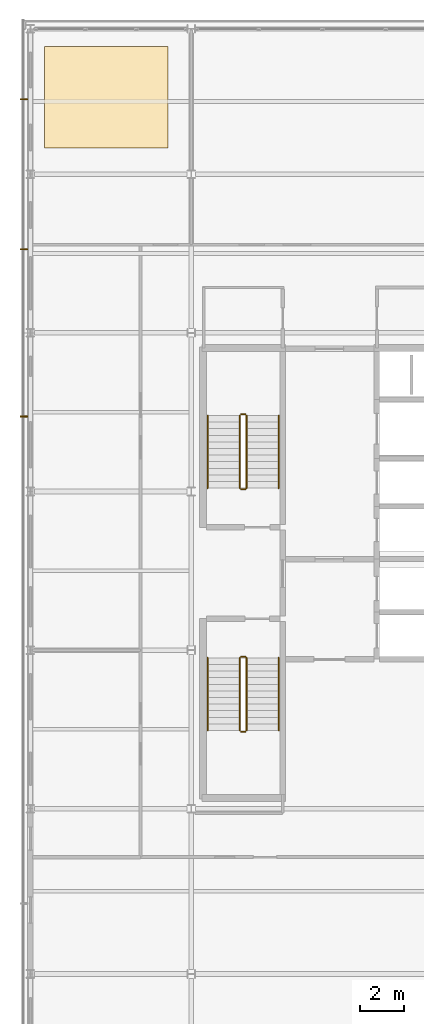
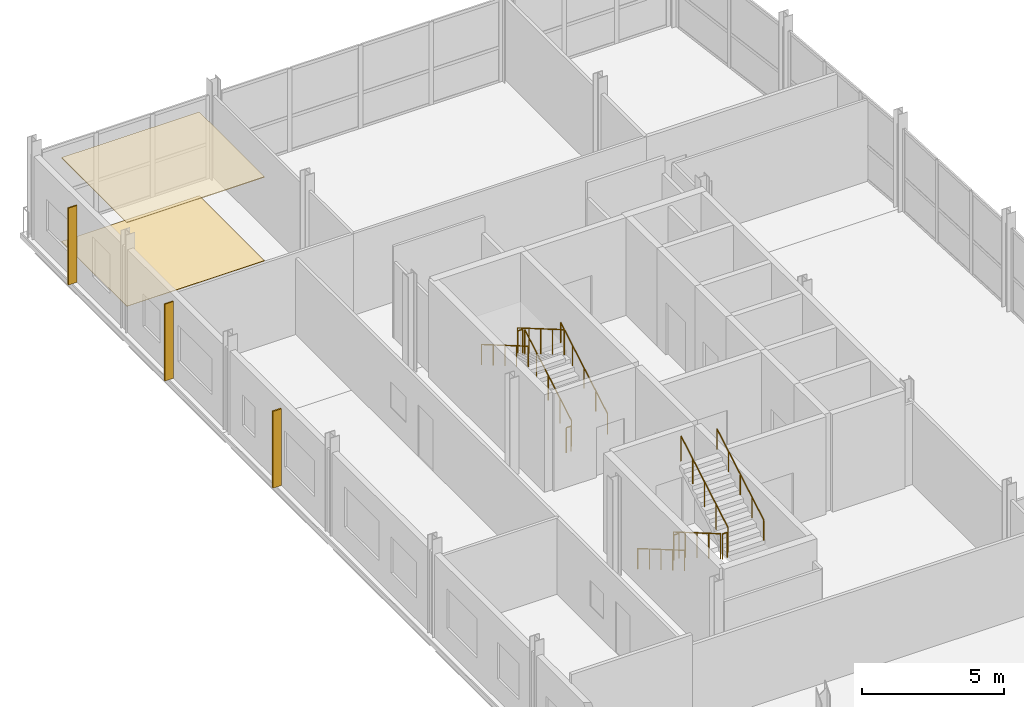
# One storey, part 22 of 23: 12 railings, 3 shading devices, 2 coverings.
"""IFC4 building model written with IfcOpenShell, lengths in metres."""

from ifc_helpers import new_model, si_unit, direction, frame, origin, origin_2d, place, context, subcontext, project, spatial, polyline, rectangle, circle, outline, extrude, material, layer, layer_set, type_object, element, save


model = new_model("IFC4")

# Units and contexts
model_context = context("Model", 3, precision=1e-05, world=origin(), true_north=direction((0.0, 1.0)))
body_context = subcontext(model_context, "Body", "Model", "MODEL_VIEW")
ifc_project = project(units=[si_unit("LENGTHUNIT", "METRE"), si_unit("AREAUNIT", "SQUARE_METRE"), si_unit("VOLUMEUNIT", "CUBIC_METRE"), si_unit("PLANEANGLEUNIT", "RADIAN"), si_unit("MASSUNIT", "GRAM", prefix="KILO")], contexts=[model_context])

# Site, building, storey
site_placement = place(None, origin())
site = spatial("IfcSite", under=ifc_project, at=site_placement, CompositionType="ELEMENT")
building_placement = place(site_placement, origin())
building = spatial("IfcBuilding", under=site, at=building_placement, Name="Quillay Park Conservatory", CompositionType="ELEMENT")
storey_placement = place(building_placement, frame((0.0, 0.0, 22.5)))
storey = spatial("IfcBuildingStorey", under=building, at=storey_placement, Name="L05", CompositionType="ELEMENT", Elevation=22.5)

# Coverings
ifc_material_1 = material(Name="Perforated Mineral-Fibre Acoustic Ceiling")
ifc_layer_1 = layer(ifc_material_1, 0.030029296875)
ifc_layer_set_1 = layer_set([ifc_layer_1], Name="LABORATORY HYGIENIC CEILING 30 (Perforated Mineral-Fibre Acoustic Ceiling)")
covering_type_1 = type_object("IfcCoveringType", Name="LABORATORY HYGIENIC CEILING 30", PredefinedType="CEILING", material=ifc_layer_set_1)
covering_1_placement = place(storey_placement, frame((0.0, 0.0, 3.592041015625)))
element("IfcCovering", 1, at=covering_1_placement, inside=storey, type_object=covering_type_1, Name="L05 Suspended Acoustic Ceiling", PredefinedType="CEILING", context=body_context, shape_type="SweptSolid", body=[
    extrude(outline(polyline([(1.199951171875, 108.0), (6.800048828125, 108.0), (6.800048828125, 112.60009765625), (1.199951171875, 112.60009765625), (1.199951171875, 108.0)])), origin(), (0.0, 0.0, 1.0), 0.030029296875),
])
ifc_material_2 = material(Name="Seamless Chemical-Resistant Epoxy Flooring")
ifc_layer_2 = layer(ifc_material_2, 0.01806640625)
ifc_layer_set_2 = layer_set([ifc_layer_2], Name="SEAMLESS EPOXY LAB FLOORING 18 (Seamless Chemical-Resistant Epoxy Flooring)")
covering_type_2 = type_object("IfcCoveringType", Name="SEAMLESS EPOXY LAB FLOORING 18", PredefinedType="FLOORING", material=ifc_layer_set_2)
covering_2_placement = place(storey_placement, origin())
element("IfcCovering", 2, at=covering_2_placement, inside=storey, type_object=covering_type_2, Name="L05 Interior Flooring Finish", PredefinedType="FLOORING", context=body_context, shape_type="SweptSolid", body=[
    extrude(outline(polyline([(1.199951171875, 108.0), (6.800048828125, 108.0), (6.800048828125, 112.60009765625), (1.199951171875, 112.60009765625), (1.199951171875, 108.0)])), origin(), (0.0, 0.0, 1.0), 0.01806640625),
])

# Railings
ifc_material_3 = material(Name="Steel S355J2H", Category="steel")
railing_type_1 = type_object("IfcRailingType", Name="STAIR WALL HANDRAIL 900", PredefinedType="HANDRAIL", material=ifc_material_3)
railing_1_placement = place(storey_placement, frame((11.820068359375, 92.550048828125, 0.175048828125)))
element("IfcRailing", 3, at=railing_1_placement, inside=storey, type_object=railing_type_1, Name="L05 ST-T1 stair handrail 1", PredefinedType="HANDRAIL", context=body_context, shape_type="SweptSolid", body=[
    extrude(circle(Radius=0.02392578125, at=origin_2d()), frame((0.0, 0.0, 0.8759765625), z_axis=(0.0, 0.863776583165, 0.503874998761), x_axis=(-1.0, 0.0, 0.0)), (0.0, 0.0, 1.0), 3.820556640625),
    extrude(circle(Radius=0.02099609375, at=origin_2d()), origin(), (0.0, 0.0, 1.0), 0.851806640625),
    extrude(circle(Radius=0.02099609375, at=origin_2d()), frame((0.0, 0.824951171875, 0.481201171875)), (0.0, 0.0, 1.0), 0.851806640625),
    extrude(circle(Radius=0.02099609375, at=origin_2d()), frame((0.0, 1.64990234375, 0.96240234375)), (0.0, 0.0, 1.0), 0.851806640625),
    extrude(circle(Radius=0.02099609375, at=origin_2d()), frame((0.0, 2.47509765625, 1.44384765625)), (0.0, 0.0, 1.0), 0.851806640625),
    extrude(circle(Radius=0.02099609375, at=origin_2d()), frame((0.0, 3.300048828125, 1.925048828125)), (0.0, 0.0, 1.0), 0.851806640625),
])
for number, where, name in (
    (4, (8.60009765625, 95.85009765625, 2.27490234375), "L05 ST-T1 stair handrail 2"),
    (5, (8.60009765625, 84.85009765625, 0.175048828125), "L05 ST-T2 stair handrail 1"),
):
    element("IfcRailing", number, at=place(storey_placement, frame(where)), inside=storey, type_object=railing_type_1, Name=name, PredefinedType="HANDRAIL", context=body_context, shape_type="SweptSolid", body=[
        extrude(circle(Radius=0.02392578125, at=origin_2d()), frame((0.0, 0.0, 0.8759765625), z_axis=(0.0, -0.863776583165, 0.503874998761), x_axis=(1.0, 0.0, 0.0)), (0.0, 0.0, 1.0), 3.820556640625),
        extrude(circle(Radius=0.02099609375, at=origin_2d()), origin(), (0.0, 0.0, 1.0), 0.851806640625),
        extrude(circle(Radius=0.02099609375, at=origin_2d()), frame((0.0, -0.824951171875, 0.481201171875)), (0.0, 0.0, 1.0), 0.851806640625),
        extrude(circle(Radius=0.02099609375, at=origin_2d()), frame((0.0, -1.64990234375, 0.96240234375)), (0.0, 0.0, 1.0), 0.851806640625),
        extrude(circle(Radius=0.02099609375, at=origin_2d()), frame((0.0, -2.47509765625, 1.44384765625)), (0.0, 0.0, 1.0), 0.851806640625),
        extrude(circle(Radius=0.02099609375, at=origin_2d()), frame((0.0, -3.300048828125, 1.925048828125)), (0.0, 0.0, 1.0), 0.851806640625),
    ])
railing_2_placement = place(storey_placement, frame((11.820068359375, 81.550048828125, 2.27490234375)))
element("IfcRailing", 6, at=railing_2_placement, inside=storey, type_object=railing_type_1, Name="L05 ST-T2 stair handrail 2", PredefinedType="HANDRAIL", context=body_context, shape_type="SweptSolid", body=[
    extrude(circle(Radius=0.02392578125, at=origin_2d()), frame((0.0, 0.0, 0.8759765625), z_axis=(0.0, 0.863776583165, 0.503874998761), x_axis=(-1.0, 0.0, 0.0)), (0.0, 0.0, 1.0), 3.820556640625),
    extrude(circle(Radius=0.02099609375, at=origin_2d()), origin(), (0.0, 0.0, 1.0), 0.851806640625),
    extrude(circle(Radius=0.02099609375, at=origin_2d()), frame((0.0, 0.824951171875, 0.481201171875)), (0.0, 0.0, 1.0), 0.851806640625),
    extrude(circle(Radius=0.02099609375, at=origin_2d()), frame((0.0, 1.64990234375, 0.96240234375)), (0.0, 0.0, 1.0), 0.851806640625),
    extrude(circle(Radius=0.02099609375, at=origin_2d()), frame((0.0, 2.47509765625, 1.44384765625)), (0.0, 0.0, 1.0), 0.851806640625),
    extrude(circle(Radius=0.02099609375, at=origin_2d()), frame((0.0, 3.300048828125, 1.925048828125)), (0.0, 0.0, 1.0), 0.851806640625),
])
ifc_material_4 = material(Name="Steel S355J2H", Category="steel")
railing_type_2 = type_object("IfcRailingType", Name="STAIR WELL GUARDRAIL 1100", PredefinedType="GUARDRAIL", material=ifc_material_4)
railing_3_placement = place(storey_placement, frame((10.360107421875, 92.550048828125, 0.175048828125)))
element("IfcRailing", 7, at=railing_3_placement, inside=storey, type_object=railing_type_2, Name="L05 ST-T1 stair guard 1", PredefinedType="GUARDRAIL", context=body_context, shape_type="SweptSolid", body=[
    extrude(circle(Radius=0.02392578125, at=origin_2d()), frame((0.0, 0.0, 1.076171875), z_axis=(0.0, 0.863776583165, 0.503874998761), x_axis=(-1.0, 0.0, 0.0)), (0.0, 0.0, 1.0), 3.820556640625),
    extrude(circle(Radius=0.02099609375, at=origin_2d()), origin(), (0.0, 0.0, 1.0), 1.052001953125),
    extrude(circle(Radius=0.02099609375, at=origin_2d()), frame((0.0, 0.824951171875, 0.481201171875)), (0.0, 0.0, 1.0), 1.052001953125),
    extrude(circle(Radius=0.02099609375, at=origin_2d()), frame((0.0, 1.64990234375, 0.96240234375)), (0.0, 0.0, 1.0), 1.052001953125),
    extrude(circle(Radius=0.02099609375, at=origin_2d()), frame((0.0, 2.47509765625, 1.44384765625)), (0.0, 0.0, 1.0), 1.052001953125),
    extrude(circle(Radius=0.02099609375, at=origin_2d()), frame((0.0, 3.300048828125, 1.925048828125)), (0.0, 0.0, 1.0), 1.052001953125),
])
railing_4_placement = place(storey_placement, frame((10.31005859375, 95.89990234375, 2.10009765625)))
element("IfcRailing", 8, at=railing_4_placement, inside=storey, type_object=railing_type_2, Name="L05 ST-T1 stair guard 2", PredefinedType="GUARDRAIL", context=body_context, shape_type="SweptSolid", body=[
    extrude(circle(Radius=0.02392578125, at=origin_2d()), frame((0.0, 0.0, 1.076171875), z_axis=(-1.0, 0.0, 0.0), x_axis=(0.0, -1.0, 0.0)), (0.0, 0.0, 1.0), 0.199951171875),
    extrude(circle(Radius=0.02099609375, at=origin_2d()), origin(), (0.0, 0.0, 1.0), 1.052001953125),
    extrude(circle(Radius=0.02099609375, at=origin_2d()), frame((-0.199951171875, 0.0, 0.0)), (0.0, 0.0, 1.0), 1.052001953125),
])
railing_5_placement = place(storey_placement, frame((10.06005859375, 95.85009765625, 2.27490234375)))
element("IfcRailing", 9, at=railing_5_placement, inside=storey, type_object=railing_type_2, Name="L05 ST-T1 stair guard 3", PredefinedType="GUARDRAIL", context=body_context, shape_type="SweptSolid", body=[
    extrude(circle(Radius=0.02392578125, at=origin_2d()), frame((0.0, 0.0, 1.076171875), z_axis=(0.0, -0.863776583165, 0.503874998761), x_axis=(1.0, 0.0, 0.0)), (0.0, 0.0, 1.0), 3.820556640625),
    extrude(circle(Radius=0.02099609375, at=origin_2d()), origin(), (0.0, 0.0, 1.0), 1.052001953125),
    extrude(circle(Radius=0.02099609375, at=origin_2d()), frame((0.0, -0.824951171875, 0.481201171875)), (0.0, 0.0, 1.0), 1.052001953125),
    extrude(circle(Radius=0.02099609375, at=origin_2d()), frame((0.0, -1.64990234375, 0.96240234375)), (0.0, 0.0, 1.0), 1.052001953125),
    extrude(circle(Radius=0.02099609375, at=origin_2d()), frame((0.0, -2.47509765625, 1.44384765625)), (0.0, 0.0, 1.0), 1.052001953125),
    extrude(circle(Radius=0.02099609375, at=origin_2d()), frame((0.0, -3.300048828125, 1.925048828125)), (0.0, 0.0, 1.0), 1.052001953125),
])
railing_6_placement = place(storey_placement, frame((10.31005859375, 92.5, 0.0)))
element("IfcRailing", 10, at=railing_6_placement, inside=storey, type_object=railing_type_2, Name="L05 ST-T1 stair guard 4", PredefinedType="GUARDRAIL", context=body_context, shape_type="SweptSolid", body=[
    extrude(circle(Radius=0.02392578125, at=origin_2d()), frame((0.0, 0.0, 1.076171875), z_axis=(-1.0, 0.0, 0.0), x_axis=(0.0, -1.0, 0.0)), (0.0, 0.0, 1.0), 0.199951171875),
    extrude(circle(Radius=0.02099609375, at=origin_2d()), origin(), (0.0, 0.0, 1.0), 1.052001953125),
    extrude(circle(Radius=0.02099609375, at=origin_2d()), frame((-0.199951171875, 0.0, 0.0)), (0.0, 0.0, 1.0), 1.052001953125),
])
railing_7_placement = place(storey_placement, frame((10.06005859375, 84.85009765625, 0.175048828125)))
element("IfcRailing", 11, at=railing_7_placement, inside=storey, type_object=railing_type_2, Name="L05 ST-T2 stair guard 1", PredefinedType="GUARDRAIL", context=body_context, shape_type="SweptSolid", body=[
    extrude(circle(Radius=0.02392578125, at=origin_2d()), frame((0.0, 0.0, 1.076171875), z_axis=(0.0, -0.863776583165, 0.503874998761), x_axis=(1.0, 0.0, 0.0)), (0.0, 0.0, 1.0), 3.820556640625),
    extrude(circle(Radius=0.02099609375, at=origin_2d()), origin(), (0.0, 0.0, 1.0), 1.052001953125),
    extrude(circle(Radius=0.02099609375, at=origin_2d()), frame((0.0, -0.824951171875, 0.481201171875)), (0.0, 0.0, 1.0), 1.052001953125),
    extrude(circle(Radius=0.02099609375, at=origin_2d()), frame((0.0, -1.64990234375, 0.96240234375)), (0.0, 0.0, 1.0), 1.052001953125),
    extrude(circle(Radius=0.02099609375, at=origin_2d()), frame((0.0, -2.47509765625, 1.44384765625)), (0.0, 0.0, 1.0), 1.052001953125),
    extrude(circle(Radius=0.02099609375, at=origin_2d()), frame((0.0, -3.300048828125, 1.925048828125)), (0.0, 0.0, 1.0), 1.052001953125),
])
railing_8_placement = place(storey_placement, frame((10.110107421875, 81.5, 2.10009765625)))
element("IfcRailing", 12, at=railing_8_placement, inside=storey, type_object=railing_type_2, Name="L05 ST-T2 stair guard 2", PredefinedType="GUARDRAIL", context=body_context, shape_type="SweptSolid", body=[
    extrude(circle(Radius=0.02392578125, at=origin_2d()), frame((0.0, 0.0, 1.076171875), z_axis=(1.0, 0.0, 0.0), x_axis=(0.0, 1.0, 0.0)), (0.0, 0.0, 1.0), 0.199951171875),
    extrude(circle(Radius=0.02099609375, at=origin_2d()), origin(), (0.0, 0.0, 1.0), 1.052001953125),
    extrude(circle(Radius=0.02099609375, at=origin_2d()), frame((0.199951171875, 0.0, 0.0)), (0.0, 0.0, 1.0), 1.052001953125),
])
railing_9_placement = place(storey_placement, frame((10.360107421875, 81.550048828125, 2.27490234375)))
element("IfcRailing", 13, at=railing_9_placement, inside=storey, type_object=railing_type_2, Name="L05 ST-T2 stair guard 3", PredefinedType="GUARDRAIL", context=body_context, shape_type="SweptSolid", body=[
    extrude(circle(Radius=0.02392578125, at=origin_2d()), frame((0.0, 0.0, 1.076171875), z_axis=(0.0, 0.863776583165, 0.503874998761), x_axis=(-1.0, 0.0, 0.0)), (0.0, 0.0, 1.0), 3.820556640625),
    extrude(circle(Radius=0.02099609375, at=origin_2d()), origin(), (0.0, 0.0, 1.0), 1.052001953125),
    extrude(circle(Radius=0.02099609375, at=origin_2d()), frame((0.0, 0.824951171875, 0.481201171875)), (0.0, 0.0, 1.0), 1.052001953125),
    extrude(circle(Radius=0.02099609375, at=origin_2d()), frame((0.0, 1.64990234375, 0.96240234375)), (0.0, 0.0, 1.0), 1.052001953125),
    extrude(circle(Radius=0.02099609375, at=origin_2d()), frame((0.0, 2.47509765625, 1.44384765625)), (0.0, 0.0, 1.0), 1.052001953125),
    extrude(circle(Radius=0.02099609375, at=origin_2d()), frame((0.0, 3.300048828125, 1.925048828125)), (0.0, 0.0, 1.0), 1.052001953125),
])
railing_10_placement = place(storey_placement, frame((10.110107421875, 84.89990234375, 0.0)))
element("IfcRailing", 14, at=railing_10_placement, inside=storey, type_object=railing_type_2, Name="L05 ST-T2 stair guard 4", PredefinedType="GUARDRAIL", context=body_context, shape_type="SweptSolid", body=[
    extrude(circle(Radius=0.02392578125, at=origin_2d()), frame((0.0, 0.0, 1.076171875), z_axis=(1.0, 0.0, 0.0), x_axis=(0.0, 1.0, 0.0)), (0.0, 0.0, 1.0), 0.199951171875),
    extrude(circle(Radius=0.02099609375, at=origin_2d()), origin(), (0.0, 0.0, 1.0), 1.052001953125),
    extrude(circle(Radius=0.02099609375, at=origin_2d()), frame((0.199951171875, 0.0, 0.0)), (0.0, 0.0, 1.0), 1.052001953125),
])

# Shading devices
ifc_material_5 = material(Name="Perforated Copper-Bronze Anodised Aluminium", Category="aluminium")
shading_device_type = type_object("IfcShadingDeviceType", Name="COPPER BRONZE SOLAR FIN", PredefinedType="USERDEFINED", material=ifc_material_5)
for number, where, z_axis, x_axis, name in (
    (15, (0.2548828125, 95.800048828125, 0.0), (0.0, 0.0, 1.0), (1.0, 0.0, 0.0), "L05 Perforated Copper-Bronze Solar Fin 018"),
    (16, (0.2548828125, 103.39990234375, 0.0), (0.0, 0.0, 1.0), (1.0, 0.0, 0.0), "L05 Perforated Copper-Bronze Solar Fin 019"),
    (17, (0.2548828125, 110.199951171875, 0.0), (0.0, 0.0, 1.0), (1.0, 0.0, 0.0), "L05 Perforated Copper-Bronze Solar Fin 020"),
):
    element("IfcShadingDevice", number, at=place(storey_placement, frame(where, z_axis=z_axis, x_axis=x_axis)), inside=storey, type_object=shading_device_type, Name=name, ObjectType="SOLAR FIN", PredefinedType="USERDEFINED", context=body_context, shape_type="SweptSolid", body=[
        extrude(rectangle(XDim=0.35009765625, YDim=0.054931640625, at=origin_2d()), origin(), (0.0, 0.0, 1.0), 3.300048828125),
    ])

save(model, "model.ifc")
